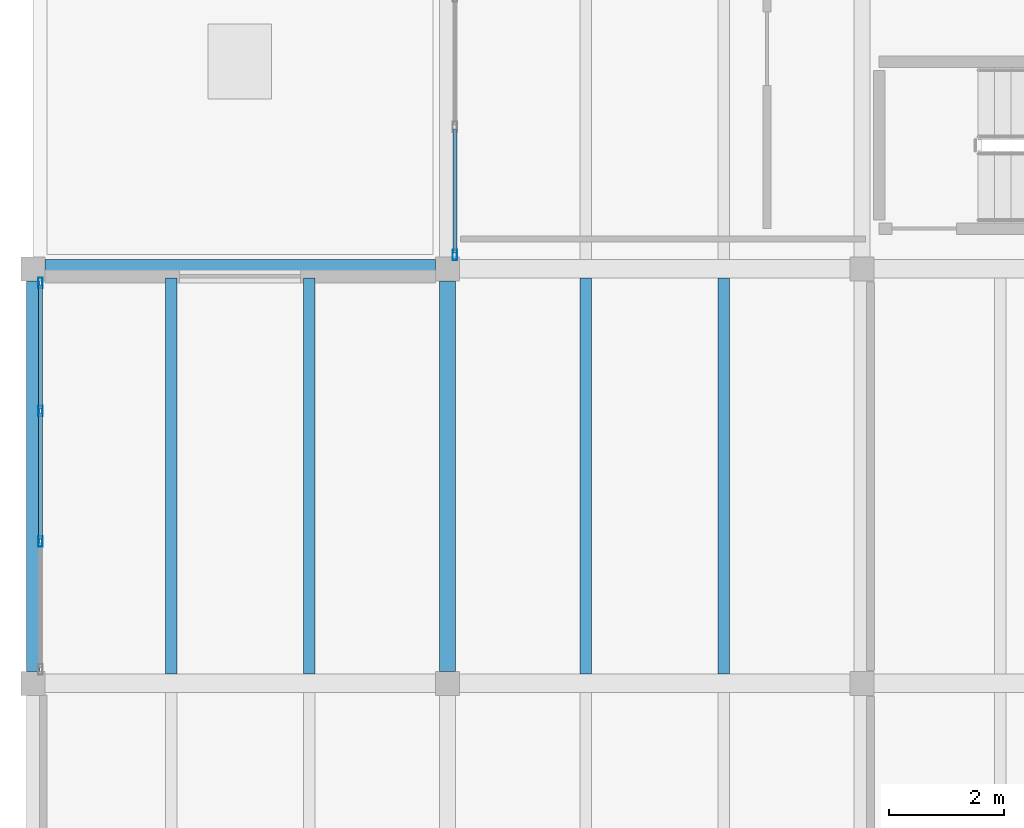
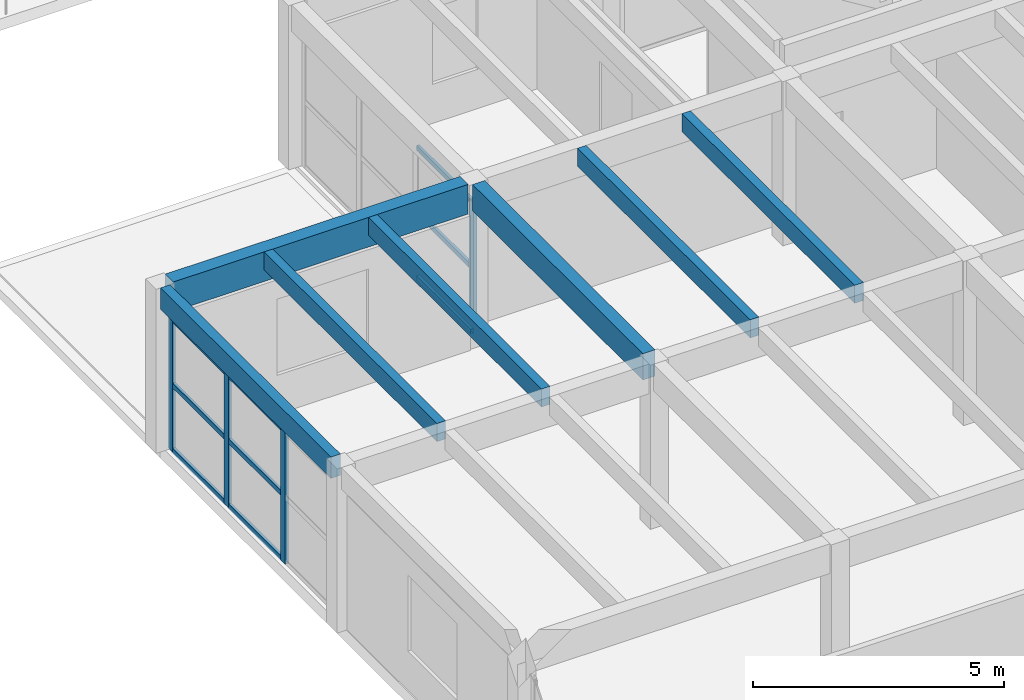
# One storey, part 14 of 68: 13 members, 7 beams, 2 elements without a shape of their own.
"""IFC4 building model written with IfcOpenShell, lengths in metres."""

from ifc_helpers import new_model, si_unit, direction, frame, origin, origin_2d, place, context, subcontext, project, spatial, rectangle, hollow_rectangle, extrude, material, material_profile, profile_set, type_object, element, aggregate, save


model = new_model("IFC4")

# Units and contexts
model_context = context("Model", 3, precision=1e-05, world=origin(), true_north=direction((0.0, 1.0)))
body_context = subcontext(model_context, "Body", "Model", "MODEL_VIEW")
ifc_project = project(units=[si_unit("LENGTHUNIT", "METRE"), si_unit("AREAUNIT", "SQUARE_METRE"), si_unit("VOLUMEUNIT", "CUBIC_METRE"), si_unit("PLANEANGLEUNIT", "RADIAN"), si_unit("MASSUNIT", "GRAM", prefix="KILO")], contexts=[model_context])

# Site, building, storey
site_placement = place(None, origin())
site = spatial("IfcSite", under=ifc_project, at=site_placement, CompositionType="ELEMENT")
building_placement = place(site_placement, origin())
building = spatial("IfcBuilding", under=site, at=building_placement, Name="Bramvelor Terrace Health Centre", CompositionType="ELEMENT")
storey_placement = place(building_placement, frame((0.0, 0.0, 9.300048828125)))
storey = spatial("IfcBuildingStorey", under=building, at=storey_placement, Name="L03", CompositionType="ELEMENT", Elevation=9.300048828125)

# Beams
ifc_material_1 = material(Name="Glulam GL28h", Category="wood")
ifc_material_profile_1 = material_profile(ifc_material_1, rectangle(XDim=0.280029296875, YDim=0.639892578125, at=origin_2d()), Name="GL 280x640")
ifc_profile_set_1 = profile_set([ifc_material_profile_1], Name="Glulam GL28h")
beam_type_1 = type_object("IfcBeamType", Name="BM-GL-G640", PredefinedType="BEAM", material=ifc_profile_set_1)
beam_1_placement = place(storey_placement, frame((7.199951171875, 50.610107421875, 3.669921875), z_axis=(0.0, 1.0, 0.0), x_axis=(-1.0, 0.0, 0.0)))
element("IfcBeam", 1, at=beam_1_placement, inside=storey, type_object=beam_type_1, Name="L03 Floor Girder", PredefinedType="BEAM", context=body_context, shape_type="SweptSolid", body=[
    extrude(rectangle(XDim=0.280029296875, YDim=0.639892578125, at=origin_2d()), origin(), (0.0, 0.0, 1.0), 6.77978515625),
])
ifc_material_2 = material(Name="Glulam GL28h", Category="wood")
ifc_material_profile_2 = material_profile(ifc_material_2, rectangle(XDim=0.320068359375, YDim=0.719970703125, at=origin_2d()), Name="GL 320x720")
ifc_profile_set_2 = profile_set([ifc_material_profile_2], Name="Glulam GL28h")
beam_type_2 = type_object("IfcBeamType", Name="BM-GL-G720", PredefinedType="BEAM", material=ifc_profile_set_2)
beam_2_placement = place(storey_placement, frame((0.2099609375, 57.60009765625, 3.6298828125), z_axis=(1.0, 0.0, 0.0), x_axis=(0.0, 1.0, 0.0)))
element("IfcBeam", 2, at=beam_2_placement, inside=storey, type_object=beam_type_2, Name="L03 Floor Girder", PredefinedType="BEAM", context=body_context, shape_type="SweptSolid", body=[
    extrude(rectangle(XDim=0.320068359375, YDim=0.719970703125, at=origin_2d()), origin(), (0.0, 0.0, 1.0), 6.780029296875),
])
ifc_material_3 = material(Name="Glulam GL28h", Category="wood")
ifc_material_profile_3 = material_profile(ifc_material_3, rectangle(XDim=0.199951171875, YDim=0.43994140625, at=origin_2d()), Name="GL 200x440")
ifc_profile_set_3 = profile_set([ifc_material_profile_3], Name="Glulam GL28h")
beam_type_3 = type_object("IfcBeamType", Name="BM-GL-J440", PredefinedType="JOIST", material=ifc_profile_set_3)
for number, where, z_axis, x_axis, name in (
    (3, (2.39990234375, 50.56005859375, 3.77001953125), (0.0, 1.0, 0.0), (-1.0, 0.0, 0.0), "L03 Secondary Floor Joist"),
    (4, (4.800048828125, 50.56005859375, 3.77001953125), (0.0, 1.0, 0.0), (-1.0, 0.0, 0.0), "L03 Secondary Floor Joist"),
    (5, (9.60009765625, 50.56005859375, 3.77001953125), (0.0, 1.0, 0.0), (-1.0, 0.0, 0.0), "L03 Secondary Floor Joist"),
    (6, (12.0, 50.56005859375, 3.77001953125), (0.0, 1.0, 0.0), (-1.0, 0.0, 0.0), "L03 Secondary Floor Joist"),
):
    element("IfcBeam", number, at=place(storey_placement, frame(where, z_axis=z_axis, x_axis=x_axis)), inside=storey, type_object=beam_type_3, Name=name, PredefinedType="JOIST", context=body_context, shape_type="SweptSolid", body=[
        extrude(rectangle(XDim=0.199951171875, YDim=0.43994140625, at=origin_2d()), origin(), (0.0, 0.0, 1.0), 6.8798828125),
    ])
ifc_material_4 = material(Name="Glulam GL28h", Category="wood")
ifc_material_profile_4 = material_profile(ifc_material_4, rectangle(XDim=0.219970703125, YDim=0.52001953125, at=origin_2d()), Name="GL 220x520")
ifc_profile_set_4 = profile_set([ifc_material_profile_4], Name="Glulam GL28h")
beam_type_4 = type_object("IfcBeamType", Name="BM-GL-SP520-EXT", PredefinedType="SPANDREL", material=ifc_profile_set_4)
beam_3_placement = place(storey_placement, frame((0.0, 50.610107421875, 3.72998046875), z_axis=(0.0, 1.0, 0.0), x_axis=(-1.0, 0.0, 0.0)))
element("IfcBeam", 7, at=beam_3_placement, inside=storey, type_object=beam_type_4, Name="L03 Floor Girder", PredefinedType="SPANDREL", context=body_context, shape_type="SweptSolid", body=[
    extrude(rectangle(XDim=0.219970703125, YDim=0.52001953125, at=origin_2d()), origin(), (0.0, 0.0, 1.0), 6.77978515625),
])

# Curtain wall, members
ifc_material_5 = material(Name="Anodized aluminium and double low-E glass", Category="aluminium")
curtain_wall_type = type_object("IfcCurtainWallType", Name="CW-SYS-27", PredefinedType="NOTDEFINED", material=ifc_material_5)
curtain_wall_1_placement = place(storey_placement, origin())
curtain_wall_1 = element("IfcCurtainWall", 8, at=curtain_wall_1_placement, inside=storey, type_object=curtain_wall_type, Name="L03 Unitized Curtain Wall 159", PredefinedType="NOTDEFINED")
ifc_material_6 = material(Name="Anodized aluminium 6063-T6", Category="aluminium")
ifc_material_profile_5 = material_profile(ifc_material_6, hollow_rectangle(XDim=0.074951171875, YDim=0.179931640625, WallThickness=0.00341796875, at=origin_2d()), Name="ALU-MUL 75x180x3.5")
ifc_profile_set_5 = profile_set([ifc_material_profile_5], Name="Anodized aluminium 6063-T6")
member_type_1 = type_object("IfcMemberType", Name="CW-MUL-65x180", PredefinedType="MULLION", material=ifc_profile_set_5)
member_1_placement = place(storey_placement, frame((0.1298828125, 52.868408203125, 0.0), z_axis=(0.0, 0.0, 1.0), x_axis=(-1.0, 0.0, 0.0)))
member_1 = element("IfcMember", 9, at=member_1_placement, type_object=member_type_1, Name="CW-27 mullion 2", PredefinedType="MULLION", context=body_context, shape_type="SweptSolid", body=[
    extrude(hollow_rectangle(XDim=0.074951171875, YDim=0.179931640625, WallThickness=0.00341796875, at=origin_2d()), origin(), (0.0, 0.0, 1.0), 3.22998046875),
])
member_2_placement = place(storey_placement, frame((0.1298828125, 55.131591796875, 0.0), z_axis=(0.0, 0.0, 1.0), x_axis=(-1.0, 0.0, 0.0)))
member_2 = element("IfcMember", 10, at=member_2_placement, type_object=member_type_1, Name="CW-27 mullion 3", PredefinedType="MULLION", context=body_context, shape_type="SweptSolid", body=[
    extrude(hollow_rectangle(XDim=0.074951171875, YDim=0.179931640625, WallThickness=0.00341796875, at=origin_2d()), origin(), (0.0, 0.0, 1.0), 3.22998046875),
])
member_3_placement = place(storey_placement, frame((0.1298828125, 57.357421875, 0.0), z_axis=(0.0, 0.0, 1.0), x_axis=(-1.0, 0.0, 0.0)))
member_3 = element("IfcMember", 11, at=member_3_placement, type_object=member_type_1, Name="CW-27 mullion 4", PredefinedType="MULLION", context=body_context, shape_type="SweptSolid", body=[
    extrude(hollow_rectangle(XDim=0.074951171875, YDim=0.179931640625, WallThickness=0.00341796875, at=origin_2d()), origin(), (0.0, 0.0, 1.0), 3.22998046875),
])

# Curtain wall, member
curtain_wall_2_placement = place(storey_placement, origin())
curtain_wall_2 = element("IfcCurtainWall", 12, at=curtain_wall_2_placement, inside=storey, type_object=curtain_wall_type, Name="L03 Unitized Curtain Wall 160", PredefinedType="NOTDEFINED")
member_4_placement = place(storey_placement, frame((7.330078125, 57.842529296875, 0.0), z_axis=(0.0, 0.0, 1.0), x_axis=(-1.0, 0.0, 0.0)))
member_4 = element("IfcMember", 13, at=member_4_placement, type_object=member_type_1, Name="CW-27 mullion 1", PredefinedType="MULLION", context=body_context, shape_type="SweptSolid", body=[
    extrude(hollow_rectangle(XDim=0.074951171875, YDim=0.179931640625, WallThickness=0.00341796875, at=origin_2d()), origin(), (0.0, 0.0, 1.0), 3.22998046875),
])

# Member
ifc_material_7 = material(Name="Anodized aluminium 6063-T6", Category="aluminium")
ifc_material_profile_6 = material_profile(ifc_material_7, hollow_rectangle(XDim=0.06494140625, YDim=0.1201171875, WallThickness=0.0029296875, at=origin_2d()), Name="ALU-TRN 65x120x3.0")
ifc_profile_set_6 = profile_set([ifc_material_profile_6], Name="Anodized aluminium 6063-T6")
member_type_2 = type_object("IfcMemberType", Name="CW-TRN-65x150", PredefinedType="USERDEFINED", material=ifc_profile_set_6)
member_5_placement = place(storey_placement, frame((0.1298828125, 52.90576171875, 0.032470703125), z_axis=(0.0, 1.0, 0.0), x_axis=(-1.0, 0.0, 0.0)))
member_5 = element("IfcMember", 14, at=member_5_placement, type_object=member_type_2, Name="CW-27 transom 2.1", ObjectType="TRANSOM", PredefinedType="USERDEFINED", context=body_context, shape_type="SweptSolid", body=[
    extrude(hollow_rectangle(XDim=0.06494140625, YDim=0.1201171875, WallThickness=0.0029296875, at=origin_2d()), origin(), (0.0, 0.0, 1.0), 2.1884765625),
])

member_6_placement = place(storey_placement, frame((0.1298828125, 52.90576171875, 1.614990234375), z_axis=(0.0, 1.0, 0.0), x_axis=(-1.0, 0.0, 0.0)))
member_6 = element("IfcMember", 15, at=member_6_placement, type_object=member_type_2, Name="CW-27 transom 2.2", ObjectType="TRANSOM", PredefinedType="USERDEFINED", context=body_context, shape_type="SweptSolid", body=[
    extrude(hollow_rectangle(XDim=0.06494140625, YDim=0.1201171875, WallThickness=0.0029296875, at=origin_2d()), origin(), (0.0, 0.0, 1.0), 2.1884765625),
])

member_7_placement = place(storey_placement, frame((0.1298828125, 52.90576171875, 3.197509765625), z_axis=(0.0, 1.0, 0.0), x_axis=(-1.0, 0.0, 0.0)))
member_7 = element("IfcMember", 16, at=member_7_placement, type_object=member_type_2, Name="CW-27 transom 2.3", ObjectType="TRANSOM", PredefinedType="USERDEFINED", context=body_context, shape_type="SweptSolid", body=[
    extrude(hollow_rectangle(XDim=0.06494140625, YDim=0.1201171875, WallThickness=0.0029296875, at=origin_2d()), origin(), (0.0, 0.0, 1.0), 2.1884765625),
])

member_8_placement = place(storey_placement, frame((0.1298828125, 55.169189453125, 0.032470703125), z_axis=(0.0, 1.0, 0.0), x_axis=(-1.0, 0.0, 0.0)))
member_8 = element("IfcMember", 17, at=member_8_placement, type_object=member_type_2, Name="CW-27 transom 3.1", ObjectType="TRANSOM", PredefinedType="USERDEFINED", context=body_context, shape_type="SweptSolid", body=[
    extrude(hollow_rectangle(XDim=0.06494140625, YDim=0.1201171875, WallThickness=0.0029296875, at=origin_2d()), origin(), (0.0, 0.0, 1.0), 2.15087890625),
])

member_9_placement = place(storey_placement, frame((0.1298828125, 55.169189453125, 1.614990234375), z_axis=(0.0, 1.0, 0.0), x_axis=(-1.0, 0.0, 0.0)))
member_9 = element("IfcMember", 18, at=member_9_placement, type_object=member_type_2, Name="CW-27 transom 3.2", ObjectType="TRANSOM", PredefinedType="USERDEFINED", context=body_context, shape_type="SweptSolid", body=[
    extrude(hollow_rectangle(XDim=0.06494140625, YDim=0.1201171875, WallThickness=0.0029296875, at=origin_2d()), origin(), (0.0, 0.0, 1.0), 2.15087890625),
])

member_10_placement = place(storey_placement, frame((0.1298828125, 55.169189453125, 3.197509765625), z_axis=(0.0, 1.0, 0.0), x_axis=(-1.0, 0.0, 0.0)))
member_10 = element("IfcMember", 19, at=member_10_placement, type_object=member_type_2, Name="CW-27 transom 3.3", ObjectType="TRANSOM", PredefinedType="USERDEFINED", context=body_context, shape_type="SweptSolid", body=[
    extrude(hollow_rectangle(XDim=0.06494140625, YDim=0.1201171875, WallThickness=0.0029296875, at=origin_2d()), origin(), (0.0, 0.0, 1.0), 2.15087890625),
])

aggregate(curtain_wall_1, [member_1, member_2, member_3, member_5, member_6, member_7, member_8, member_9, member_10])

member_11_placement = place(storey_placement, frame((7.330078125, 57.8798828125, 0.032470703125), z_axis=(0.0, 1.0, 0.0), x_axis=(-1.0, 0.0, 0.0)))
member_11 = element("IfcMember", 20, at=member_11_placement, type_object=member_type_2, Name="CW-27 transom 1.1", ObjectType="TRANSOM", PredefinedType="USERDEFINED", context=body_context, shape_type="SweptSolid", body=[
    extrude(hollow_rectangle(XDim=0.06494140625, YDim=0.1201171875, WallThickness=0.0029296875, at=origin_2d()), origin(), (0.0, 0.0, 1.0), 2.15087890625),
])

member_12_placement = place(storey_placement, frame((7.330078125, 57.8798828125, 1.614990234375), z_axis=(0.0, 1.0, 0.0), x_axis=(-1.0, 0.0, 0.0)))
member_12 = element("IfcMember", 21, at=member_12_placement, type_object=member_type_2, Name="CW-27 transom 1.2", ObjectType="TRANSOM", PredefinedType="USERDEFINED", context=body_context, shape_type="SweptSolid", body=[
    extrude(hollow_rectangle(XDim=0.06494140625, YDim=0.1201171875, WallThickness=0.0029296875, at=origin_2d()), origin(), (0.0, 0.0, 1.0), 2.15087890625),
])

member_13_placement = place(storey_placement, frame((7.330078125, 57.8798828125, 3.197509765625), z_axis=(0.0, 1.0, 0.0), x_axis=(-1.0, 0.0, 0.0)))
member_13 = element("IfcMember", 22, at=member_13_placement, type_object=member_type_2, Name="CW-27 transom 1.3", ObjectType="TRANSOM", PredefinedType="USERDEFINED", context=body_context, shape_type="SweptSolid", body=[
    extrude(hollow_rectangle(XDim=0.06494140625, YDim=0.1201171875, WallThickness=0.0029296875, at=origin_2d()), origin(), (0.0, 0.0, 1.0), 2.15087890625),
])

aggregate(curtain_wall_2, [member_4, member_11, member_12, member_13])

save(model, "model.ifc")
